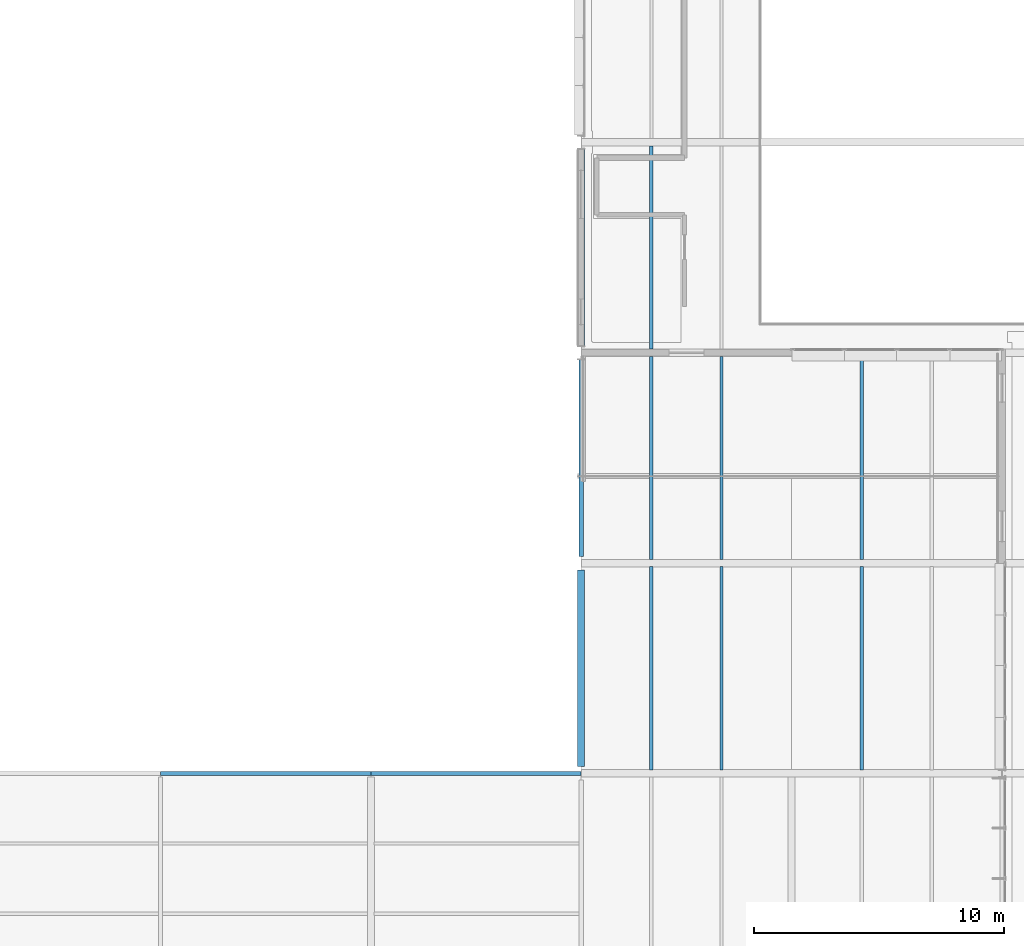
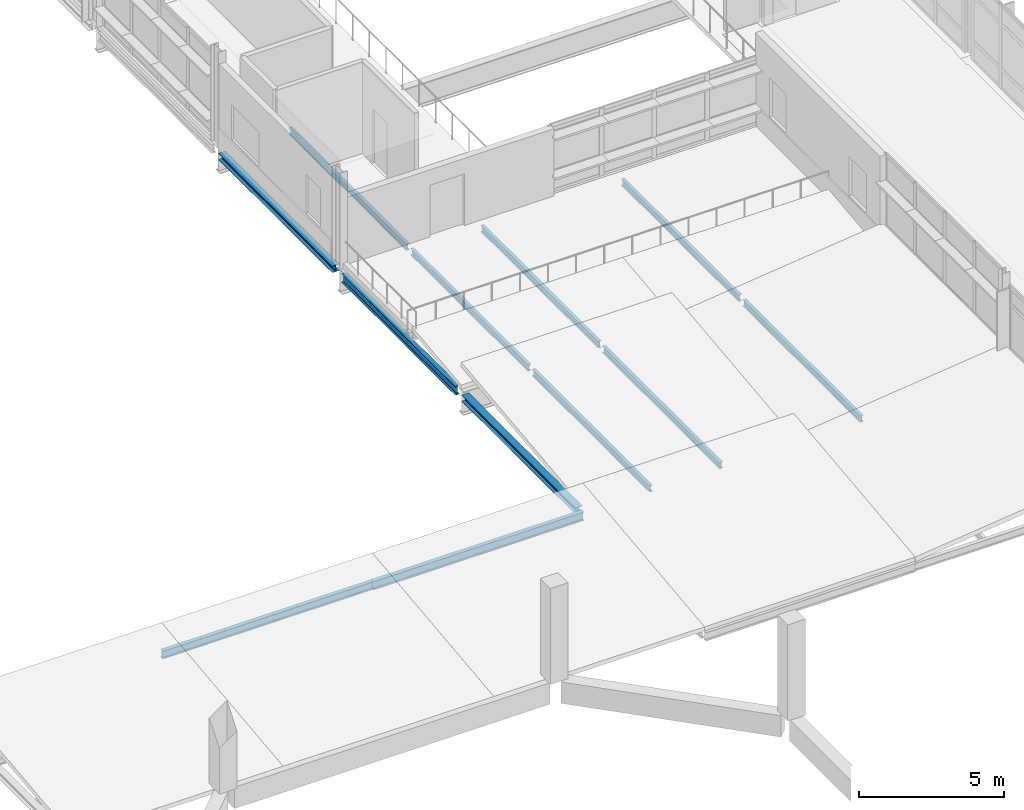
# One storey, part 19 of 131: 12 beams.
"""IFC4 building model written with IfcOpenShell, lengths in metres."""

from ifc_helpers import new_model, si_unit, direction, frame, origin, origin_2d, place, context, subcontext, project, spatial, i_section, extrude, material, material_profile, profile_set, type_object, element, save


model = new_model("IFC4")

# Units and contexts
model_context = context("Model", 3, precision=1e-05, world=origin(), true_north=direction((0.0, 1.0)))
body_context = subcontext(model_context, "Body", "Model", "MODEL_VIEW")
ifc_project = project(units=[si_unit("LENGTHUNIT", "METRE"), si_unit("AREAUNIT", "SQUARE_METRE"), si_unit("VOLUMEUNIT", "CUBIC_METRE"), si_unit("PLANEANGLEUNIT", "RADIAN"), si_unit("MASSUNIT", "GRAM", prefix="KILO")], contexts=[model_context])

# Site, building, storey
site_placement = place(None, origin())
site = spatial("IfcSite", under=ifc_project, at=site_placement, CompositionType="ELEMENT")
building_placement = place(site_placement, origin())
building = spatial("IfcBuilding", under=site, at=building_placement, Name="Mersafa Astral City Hall", CompositionType="ELEMENT")
storey_placement = place(building_placement, frame((0.0, 0.0, 13.949951171875)))
storey = spatial("IfcBuildingStorey", under=building, at=storey_placement, Name="L03", CompositionType="ELEMENT", Elevation=13.949951171875)

# Beams
ifc_material = material(Name="Steel S355", Category="steel")
ifc_material_profile_1 = material_profile(ifc_material, i_section(OverallWidth=0.135009765625, OverallDepth=0.27001953125, WebThickness=0.006591796875, FlangeThickness=0.01025390625, FilletRadius=0.014892578125, at=origin_2d()), Name="IPE 270")
ifc_profile_set_1 = profile_set([ifc_material_profile_1], Name="Steel S355")
beam_type_1 = type_object("IfcBeamType", Name="STR-BM-JOIST-IPE270", PredefinedType="JOIST", material=ifc_profile_set_1)
beam_1_placement = place(storey_placement, frame((95.199951171875, 50.544921875, -0.3349609375), z_axis=(0.0, 1.0, 0.0), x_axis=(-1.0, 0.0, 0.0)))
element("IfcBeam", 1, at=beam_1_placement, inside=storey, type_object=beam_type_1, Name="L03 Composite secondary floor joist 582", PredefinedType="JOIST", context=body_context, shape_type="SweptSolid", body=[
    extrude(i_section(OverallWidth=0.135009765625, OverallDepth=0.27001953125, WebThickness=0.006591796875, FlangeThickness=0.01025390625, FilletRadius=0.014892578125, at=origin_2d()), origin(), (0.0, 0.0, 1.0), 8.110107421875),
])
for number, where, z_axis, x_axis, name in (
    (2, (95.199951171875, 33.7451171875, -0.3349609375), (0.0, 1.0, 0.0), (-1.0, 0.0, 0.0), "L03 Flat roof secondary joist 15"),
    (3, (98.0, 33.7451171875, -0.3349609375), (0.0, 1.0, 0.0), (-1.0, 0.0, 0.0), "L03 Flat roof secondary joist 16"),
    (4, (95.199951171875, 42.14501953125, -0.3349609375), (0.0, 1.0, 0.0), (-1.0, 0.0, 0.0), "L03 Flat roof secondary joist 17"),
    (5, (98.0, 42.14501953125, -0.3349609375), (0.0, 1.0, 0.0), (-1.0, 0.0, 0.0), "L03 Flat roof secondary joist 18"),
    (6, (103.60009765625, 33.7451171875, -0.3349609375), (0.0, 1.0, 0.0), (-1.0, 0.0, 0.0), "L03 Flat roof secondary joist 21"),
    (7, (103.60009765625, 42.14501953125, -0.3349609375), (0.0, 1.0, 0.0), (-1.0, 0.0, 0.0), "L03 Flat roof secondary joist 23"),
):
    element("IfcBeam", number, at=place(storey_placement, frame(where, z_axis=z_axis, x_axis=x_axis)), inside=storey, type_object=beam_type_1, Name=name, PredefinedType="JOIST", context=body_context, shape_type="SweptSolid", body=[
        extrude(i_section(OverallWidth=0.135009765625, OverallDepth=0.27001953125, WebThickness=0.006591796875, FlangeThickness=0.01025390625, FilletRadius=0.014892578125, at=origin_2d()), origin(), (0.0, 0.0, 1.0), 8.10986328125),
    ])
ifc_material_profile_2 = material_profile(ifc_material, i_section(OverallWidth=0.280029296875, OverallDepth=0.27001953125, WebThickness=0.008056640625, FlangeThickness=0.012939453125, FilletRadius=0.02392578125, at=origin_2d()), Name="HEA 280")
ifc_profile_set_2 = profile_set([ifc_material_profile_2], Name="Steel S355")
beam_type_2 = type_object("IfcBeamType", Name="STR-BM-SPANDREL-HEA280", PredefinedType="SPANDREL", material=ifc_profile_set_2)
beam_2_placement = place(storey_placement, frame((92.39990234375, 33.8701171875, -0.3349609375), z_axis=(0.0, 1.0, 0.0), x_axis=(-1.0, 0.0, 0.0)))
element("IfcBeam", 8, at=beam_2_placement, inside=storey, type_object=beam_type_2, Name="L03 Primary girder Y 11-4", PredefinedType="SPANDREL", context=body_context, shape_type="SweptSolid", body=[
    extrude(i_section(OverallWidth=0.280029296875, OverallDepth=0.27001953125, WebThickness=0.008056640625, FlangeThickness=0.012939453125, FilletRadius=0.02392578125, at=origin_2d()), origin(), (0.0, 0.0, 1.0), 7.85986328125),
])
beam_3_placement = place(storey_placement, frame((92.39990234375, 50.669921875, -0.3349609375), z_axis=(0.0, 1.0, 0.0), x_axis=(-1.0, 0.0, 0.0)))
element("IfcBeam", 9, at=beam_3_placement, inside=storey, type_object=beam_type_2, Name="L03 Primary girder Y 11-6", PredefinedType="SPANDREL", context=body_context, shape_type="SweptSolid", body=[
    extrude(i_section(OverallWidth=0.280029296875, OverallDepth=0.27001953125, WebThickness=0.008056640625, FlangeThickness=0.012939453125, FilletRadius=0.02392578125, at=origin_2d()), origin(), (0.0, 0.0, 1.0), 7.860107421875),
])
ifc_material_profile_3 = material_profile(ifc_material, i_section(OverallWidth=0.159912109375, OverallDepth=0.330078125, WebThickness=0.007568359375, FlangeThickness=0.011474609375, FilletRadius=0.01806640625, at=origin_2d()), Name="IPE 330")
ifc_profile_set_3 = profile_set([ifc_material_profile_3], Name="Steel S355")
beam_type_3 = type_object("IfcBeamType", Name="STR-BM-SPANDREL-IPE330", PredefinedType="SPANDREL", material=ifc_profile_set_3)
beam_4_placement = place(storey_placement, frame((75.60302734375, 33.60009765625, -0.364990234375), z_axis=(1.0, 0.0, 0.0), x_axis=(0.0, 1.0, 0.0)))
element("IfcBeam", 10, at=beam_4_placement, inside=storey, type_object=beam_type_3, Name="L03 Primary girder X 9-4", PredefinedType="SPANDREL", context=body_context, shape_type="SweptSolid", body=[
    extrude(i_section(OverallWidth=0.159912109375, OverallDepth=0.330078125, WebThickness=0.007568359375, FlangeThickness=0.011474609375, FilletRadius=0.01806640625, at=origin_2d()), origin(), (0.0, 0.0, 1.0), 8.39404296875),
])
ifc_material_profile_4 = material_profile(ifc_material, i_section(OverallWidth=0.169921875, OverallDepth=0.360107421875, WebThickness=0.008056640625, FlangeThickness=0.0126953125, FilletRadius=0.01806640625, at=origin_2d()), Name="IPE 360")
ifc_profile_set_4 = profile_set([ifc_material_profile_4], Name="Steel S355")
beam_type_4 = type_object("IfcBeamType", Name="STR-BM-SPANDREL-IPE360", PredefinedType="SPANDREL", material=ifc_profile_set_4)
beam_5_placement = place(storey_placement, frame((84.0029296875, 33.60009765625, -0.3798828125), z_axis=(1.0, 0.0, 0.0), x_axis=(0.0, 1.0, 0.0)))
element("IfcBeam", 11, at=beam_5_placement, inside=storey, type_object=beam_type_4, Name="L03 Primary girder X 10-4", PredefinedType="SPANDREL", context=body_context, shape_type="SweptSolid", body=[
    extrude(i_section(OverallWidth=0.169921875, OverallDepth=0.360107421875, WebThickness=0.008056640625, FlangeThickness=0.0126953125, FilletRadius=0.01806640625, at=origin_2d()), origin(), (0.0, 0.0, 1.0), 8.39404296875),
])
beam_6_placement = place(storey_placement, frame((92.39990234375, 42.27001953125, -0.3798828125), z_axis=(0.0, 1.0, 0.0), x_axis=(-1.0, 0.0, 0.0)))
element("IfcBeam", 12, at=beam_6_placement, inside=storey, type_object=beam_type_4, Name="L03 Primary girder Y 11-5", PredefinedType="SPANDREL", context=body_context, shape_type="SweptSolid", body=[
    extrude(i_section(OverallWidth=0.169921875, OverallDepth=0.360107421875, WebThickness=0.008056640625, FlangeThickness=0.0126953125, FilletRadius=0.01806640625, at=origin_2d()), origin(), (0.0, 0.0, 1.0), 7.85986328125),
])

save(model, "model.ifc")
